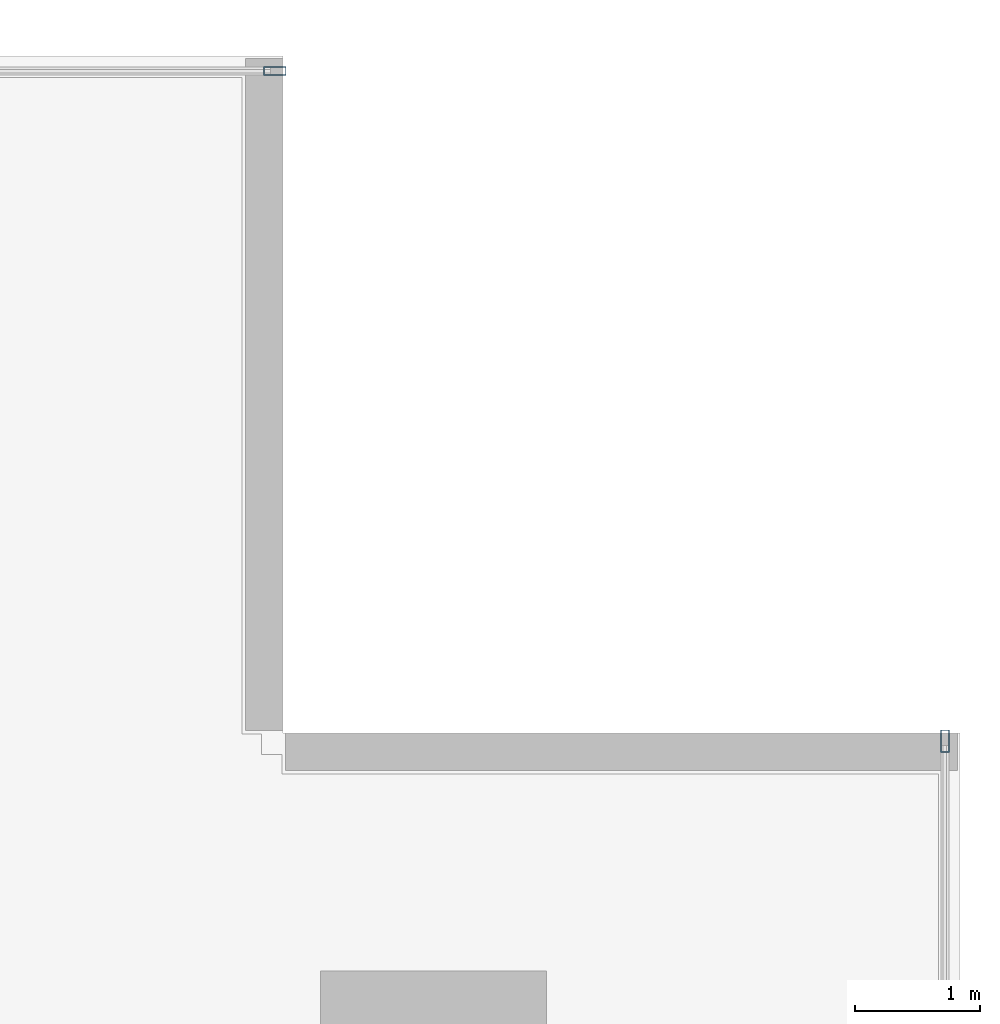
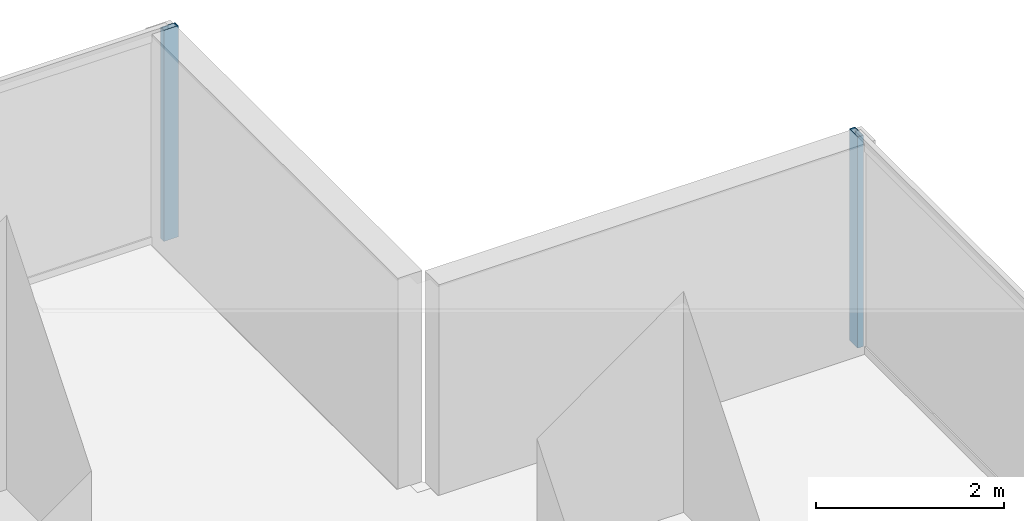
# One storey, part 23 of 33: 2 members, 2 elements without a shape of their own.
"""IFC4 building model written with IfcOpenShell, lengths in metres."""

import ifcopenshell
import ifcopenshell.guid

model = None  # the IFC model being written
_history = None  # IfcOwnerHistory: only IFC2X3 demands one
_inside = {}  # id of a spatial element -> (the spatial element, [elements in it])
_under = {}  # id of a project, library or spatial element -> (it, [spatial elements below it])
_declared = {}  # id of a project -> (the project, [libraries it declares])
_typed = {}  # id of a type object -> (the type object, [elements of that type])
_made_of = {}  # id of a material, layer set ... -> (it, [elements and type objects made of it])


def new_model(schema):
    """Start an empty IFC model of exactly this schema.

    Asked for "IFC4X3", IfcOpenShell would pick the latest addendum, in which some entities
    have other attributes; the version numbers below select the first issue.
    IFC2X3 requires an IfcOwnerHistory on every rooted entity: one is made here for all.
    """
    global model, _history
    if schema == "IFC4X3":
        model = ifcopenshell.file(schema_version=(4, 3, 0, 0))
    else:
        model = ifcopenshell.file(schema=schema)
    _inside.clear()
    _under.clear()
    _declared.clear()
    _typed.clear()
    _made_of.clear()
    _history = None
    if model.schema == "IFC2X3":
        org = make("IfcOrganization", Name="unknown")
        user = make(
            "IfcPersonAndOrganization",
            ThePerson=make("IfcPerson", FamilyName="unknown"),
            TheOrganization=org,
        )
        app = make(
            "IfcApplication",
            ApplicationDeveloper=org,
            Version="unknown",
            ApplicationFullName="unknown",
            ApplicationIdentifier="unknown",
        )
        _history = make(
            "IfcOwnerHistory",
            OwningUser=user,
            OwningApplication=app,
            ChangeAction="ADDED",
            CreationDate=0,
        )
    return model


def make(cls, **values):
    """One entity of the class cls with the attributes given. An attribute that is None is left unset."""
    return model.create_entity(
        cls, **{name: value for name, value in values.items() if value is not None}
    )


def rooted(cls, **values):
    """An entity with a GlobalId (a new one), such as an element, a storey or a relation."""
    return make(cls, GlobalId=ifcopenshell.guid.new(), OwnerHistory=_history, **values)


def si_unit(unit_type, name, prefix=None):
    """IfcSIUnit, for example si_unit("LENGTHUNIT", "METRE", prefix="MILLI")."""
    return make("IfcSIUnit", UnitType=unit_type, Prefix=prefix, Name=name)


def assignment(units):
    """IfcUnitAssignment: the units of a project."""
    return None if units is None else make("IfcUnitAssignment", Units=units)


def point(xyz):
    """IfcCartesianPoint."""
    return None if xyz is None else make("IfcCartesianPoint", Coordinates=xyz)


def direction(xyz):
    """IfcDirection."""
    return None if xyz is None else make("IfcDirection", DirectionRatios=xyz)


def frame(location, z_axis=None, x_axis=None):
    """IfcAxis2Placement3D, a coordinate frame: its origin and axes. An axis left out is left unset."""
    return make(
        "IfcAxis2Placement3D",
        Location=point(location),
        Axis=direction(z_axis),
        RefDirection=direction(x_axis),
    )


def frame_2d(location, x_axis=None):
    """IfcAxis2Placement2D, a coordinate frame in the plane: its origin and x axis."""
    return make(
        "IfcAxis2Placement2D", Location=point(location), RefDirection=direction(x_axis)
    )


def origin():
    """The frame at (0, 0, 0) with its axes left unset."""
    return frame((0.0, 0.0, 0.0))


def origin_2d():
    """The frame at (0, 0) in the plane with its x axis left unset."""
    return frame_2d((0.0, 0.0))


def place(relative_to, where):
    """IfcLocalPlacement: puts the frame where relative to a parent placement (None: the world)."""
    return make(
        "IfcLocalPlacement", PlacementRelTo=relative_to, RelativePlacement=where
    )


def context(
    kind, dimensions, precision=None, world=None, true_north=None, identifier=None
):
    """IfcGeometricRepresentationContext, for example the 3D "Model" context."""
    return make(
        "IfcGeometricRepresentationContext",
        ContextIdentifier=identifier,
        ContextType=kind,
        CoordinateSpaceDimension=dimensions,
        Precision=precision,
        WorldCoordinateSystem=world,
        TrueNorth=true_north,
    )


def subcontext(parent, identifier, kind, view, scale=None):
    """IfcGeometricRepresentationSubContext, for example "Body" below "Model"."""
    return make(
        "IfcGeometricRepresentationSubContext",
        ContextIdentifier=identifier,
        ContextType=kind,
        ParentContext=parent,
        TargetScale=scale,
        TargetView=view,
    )


def project(units=None, contexts=None):
    """IfcProject with its units and contexts."""
    return rooted(
        "IfcProject",
        Name="project",
        RepresentationContexts=contexts,
        UnitsInContext=assignment(units),
    )


def spatial(cls, under=None, at=None, **own):
    """A site, building, storey or space (cls), placed at a placement, below another one or the project."""
    s = rooted(cls, ObjectPlacement=at, **own)
    if under is not None:
        _under.setdefault(under.id(), (under, []))[1].append(s)
    return s


def profile(cls, at=None, kind="AREA", **sizes):
    """A parametric profile (cls). Its sizes go by their IFC names, for example OverallWidth=200.0."""
    return make(cls, ProfileType=kind, Position=at, **sizes)


def hollow_rectangle(**sizes):
    """IfcRectangleHollowProfileDef."""
    return profile("IfcRectangleHollowProfileDef", **sizes)


def extrude(swept, where, along, depth):
    """IfcExtrudedAreaSolid: the profile swept, set in the frame where, extruded along a direction by depth."""
    return make(
        "IfcExtrudedAreaSolid",
        SweptArea=swept,
        Position=where,
        ExtrudedDirection=direction(along),
        Depth=depth,
    )


def shape(context_of_items, identifier, shape_type, items):
    """IfcShapeRepresentation: the items that make up one representation, for example the "Body"."""
    return make(
        "IfcShapeRepresentation",
        ContextOfItems=context_of_items,
        RepresentationIdentifier=identifier,
        RepresentationType=shape_type,
        Items=items,
    )


def source(mapping_origin, context_of_items, identifier, shape_type, items):
    """IfcRepresentationMap: a shape defined once, which mapped items show again and again."""
    return make(
        "IfcRepresentationMap",
        MappingOrigin=mapping_origin,
        MappedRepresentation=shape(context_of_items, identifier, shape_type, items),
    )


def transform(
    local_origin,
    x_axis=None,
    y_axis=None,
    z_axis=None,
    scale=None,
    scale2=None,
    scale3=None,
    uniform=True,
):
    """IfcCartesianTransformationOperator3D, or its non-uniform kind. x_axis, y_axis, z_axis: its Axis1, 2, 3."""
    if uniform:
        return make(
            "IfcCartesianTransformationOperator3D",
            Axis1=direction(x_axis),
            Axis2=direction(y_axis),
            LocalOrigin=point(local_origin),
            Scale=scale,
            Axis3=direction(z_axis),
        )
    return make(
        "IfcCartesianTransformationOperator3DnonUniform",
        Axis1=direction(x_axis),
        Axis2=direction(y_axis),
        LocalOrigin=point(local_origin),
        Scale=scale,
        Axis3=direction(z_axis),
        Scale2=scale2,
        Scale3=scale3,
    )


def mapped(mapping_source, mapping_target):
    """IfcMappedItem: shows the shape of a source again, moved by a transform."""
    return make(
        "IfcMappedItem", MappingSource=mapping_source, MappingTarget=mapping_target
    )


def material(Name=None, Category=None):
    """IfcMaterial."""
    return make("IfcMaterial", Name=Name, Category=Category)


def layer(
    of_material, thickness, ventilated=None, Name=None, Category=None, Priority=None
):
    """IfcMaterialLayer: one layer of a wall or slab, of a material (None: an air gap)."""
    return make(
        "IfcMaterialLayer",
        Material=of_material,
        LayerThickness=thickness,
        IsVentilated=ventilated,
        Name=Name,
        Category=Category,
        Priority=Priority,
    )


def layer_set(layers, Name=None):
    """IfcMaterialLayerSet."""
    return make("IfcMaterialLayerSet", MaterialLayers=layers, LayerSetName=Name)


def material_profile(
    of_material, cross_section, Name=None, Category=None, Priority=None
):
    """IfcMaterialProfile: a cross section and its material."""
    return make(
        "IfcMaterialProfile",
        Name=Name,
        Material=of_material,
        Profile=cross_section,
        Priority=Priority,
        Category=Category,
    )


def profile_set(profiles, Name=None, composite=None):
    """IfcMaterialProfileSet."""
    return make(
        "IfcMaterialProfileSet",
        Name=Name,
        MaterialProfiles=profiles,
        CompositeProfile=composite,
    )


def made_of(thing, what):
    """Note that an element or type object is made of a material, layer set ...; save() writes the relation."""
    if what is not None:
        _made_of.setdefault(what.id(), (what, []))[1].append(thing)
    return thing


def type_object(cls, material=None, **own):
    """A type object (cls), such as IfcWallType, which elements share."""
    return made_of(rooted(cls, **own), material)


def element(
    cls,
    number,
    at=None,
    inside=None,
    cuts=None,
    type_object=None,
    material=None,
    context=None,
    identifier="Body",
    shape_type=None,
    held_by="IfcProductDefinitionShape",
    body=None,
    shapes=None,
    **own,
):
    """One element of the class cls, such as IfcWall. Its Tag is "e" and its number.

    at: its placement. inside: the storey or other place that contains it. cuts: it is an
    opening in that element (IfcRelVoidsElement). A single representation is given by context,
    identifier, shape_type and body (its items); several are given by shapes. held_by: the class
    of the entity that holds the representations. save() writes the other relations.
    """
    e = rooted(cls, Tag="e%d" % number, ObjectPlacement=at, **own)
    if body is not None:
        shapes = [shape(context, identifier, shape_type, body)]
    if shapes is not None:
        e.Representation = make(held_by, Representations=shapes)
    if inside is not None:
        _inside.setdefault(inside.id(), (inside, []))[1].append(e)
    if cuts is not None:
        rooted(
            "IfcRelVoidsElement", RelatingBuildingElement=cuts, RelatedOpeningElement=e
        )
    if type_object is not None:
        _typed.setdefault(type_object.id(), (type_object, []))[1].append(e)
    return made_of(e, material)


def aggregate(whole, parts):
    """IfcRelAggregates: a whole, such as a stair, and the parts it consists of."""
    return rooted("IfcRelAggregates", RelatingObject=whole, RelatedObjects=parts)


def save(model, path):
    """Write the relations noted so far, then the file.

    IfcRelAggregates (storeys below a building ...), IfcRelContainedInSpatialStructure (elements
    in a storey), IfcRelDefinesByType, IfcRelAssociatesMaterial and IfcRelDeclares: one each for
    every whole, place, type object, material and project.
    """
    for whole, parts in _under.values():
        aggregate(whole, parts)
    for where, things in _inside.values():
        rooted(
            "IfcRelContainedInSpatialStructure",
            RelatedElements=things,
            RelatingStructure=where,
        )
    for kind, things in _typed.values():
        rooted("IfcRelDefinesByType", RelatedObjects=things, RelatingType=kind)
    for what, things in _made_of.values():
        rooted("IfcRelAssociatesMaterial", RelatedObjects=things, RelatingMaterial=what)
    for by, libraries in _declared.values():
        rooted("IfcRelDeclares", RelatingContext=by, RelatedDefinitions=libraries)
    model.write(path)


model = new_model("IFC4")

# Units and contexts
model_context = context("Model", 3, precision=1e-05, world=origin(), true_north=direction((0.0, 1.0)))
body_context = subcontext(model_context, "Body", "Model", "MODEL_VIEW")
ifc_project = project(units=[si_unit("LENGTHUNIT", "METRE"), si_unit("AREAUNIT", "SQUARE_METRE"), si_unit("VOLUMEUNIT", "CUBIC_METRE"), si_unit("PLANEANGLEUNIT", "RADIAN"), si_unit("MASSUNIT", "GRAM", prefix="KILO")], contexts=[model_context])

# Site, building, storey
site_placement = place(None, origin())
site = spatial("IfcSite", under=ifc_project, at=site_placement, CompositionType="ELEMENT")
building_placement = place(site_placement, origin())
building = spatial("IfcBuilding", under=site, at=building_placement, Name="Sumidabori Civic Tower", CompositionType="ELEMENT")
storey_placement = place(building_placement, frame((0.0, 0.0, 27.199951171875)))
storey = spatial("IfcBuildingStorey", under=building, at=storey_placement, Name="L06", CompositionType="ELEMENT", Elevation=27.199951171875)

# Curtain wall, member
ifc_material = material(Name="Anodised Bronze Aluminium AW-6063-T6", Category="aluminium")
ifc_layer = layer(ifc_material, 0.179931640625, Name="Anodised Bronze Aluminium AW-6063-T6")
ifc_layer_set = layer_set([ifc_layer], Name="Anodised Bronze Aluminium AW-6063-T6")
curtain_wall_type = type_object("IfcCurtainWallType", Name="CW-SYS-2", PredefinedType="NOTDEFINED", material=ifc_layer_set)
curtain_wall_1_placement = place(storey_placement, origin())
curtain_wall_1 = element("IfcCurtainWall", 1, at=curtain_wall_1_placement, inside=storey, type_object=curtain_wall_type, Name="Curtain Wall CW:L06:R04", PredefinedType="NOTDEFINED")
ifc_material_profile = material_profile(ifc_material, hollow_rectangle(XDim=0.070068359375, YDim=0.179931640625, WallThickness=0.006103515625, at=origin_2d()), Name="ALU MULLION 180x70")
ifc_profile_set = profile_set([ifc_material_profile], Name="Anodised Bronze Aluminium AW-6063-T6")
member_type = type_object("IfcMemberType", Name="CW-MUL-180", PredefinedType="MULLION", material=ifc_profile_set)
shared_shape = source(origin(), body_context, "Body", "SweptSolid", [
    extrude(hollow_rectangle(XDim=0.070068359375, YDim=0.179931640625, WallThickness=0.006103515625, at=origin_2d()), origin(), (0.0, 0.0, 1.0), 2.739990234375),
])
member_1_placement = place(storey_placement, frame((26.8798828125, 21.534912109375, 0.0), z_axis=(0.0, 0.0, 1.0), x_axis=(-1.0, 0.0, 0.0)))
member_1 = element("IfcMember", 2, at=member_1_placement, type_object=member_type, Name="CW-2 mullion 6", PredefinedType="MULLION", context=body_context, shape_type="MappedRepresentation", body=[
    mapped(shared_shape, transform((0.0, 0.0, 0.0), x_axis=(1.0, 0.0, 0.0), y_axis=(0.0, 1.0, 0.0), z_axis=(0.0, 0.0, 1.0), scale=1.0)),
])
aggregate(curtain_wall_1, [member_1])

curtain_wall_2_placement = place(storey_placement, origin())
curtain_wall_2 = element("IfcCurtainWall", 3, at=curtain_wall_2_placement, inside=storey, type_object=curtain_wall_type, Name="Curtain Wall CW:L06:R07", PredefinedType="NOTDEFINED")
member_2_placement = place(storey_placement, frame((21.534912109375, 26.8798828125, 0.0), z_axis=(0.0, 0.0, 1.0), x_axis=(0.0, -1.0, 0.0)))
member_2 = element("IfcMember", 4, at=member_2_placement, type_object=member_type, Name="CW-2 mullion 1", PredefinedType="MULLION", context=body_context, shape_type="MappedRepresentation", body=[
    mapped(shared_shape, transform((0.0, 0.0, 0.0), x_axis=(1.0, 0.0, 0.0), y_axis=(0.0, 1.0, 0.0), z_axis=(0.0, 0.0, 1.0), scale=1.0)),
])
aggregate(curtain_wall_2, [member_2])

save(model, "model.ifc")
